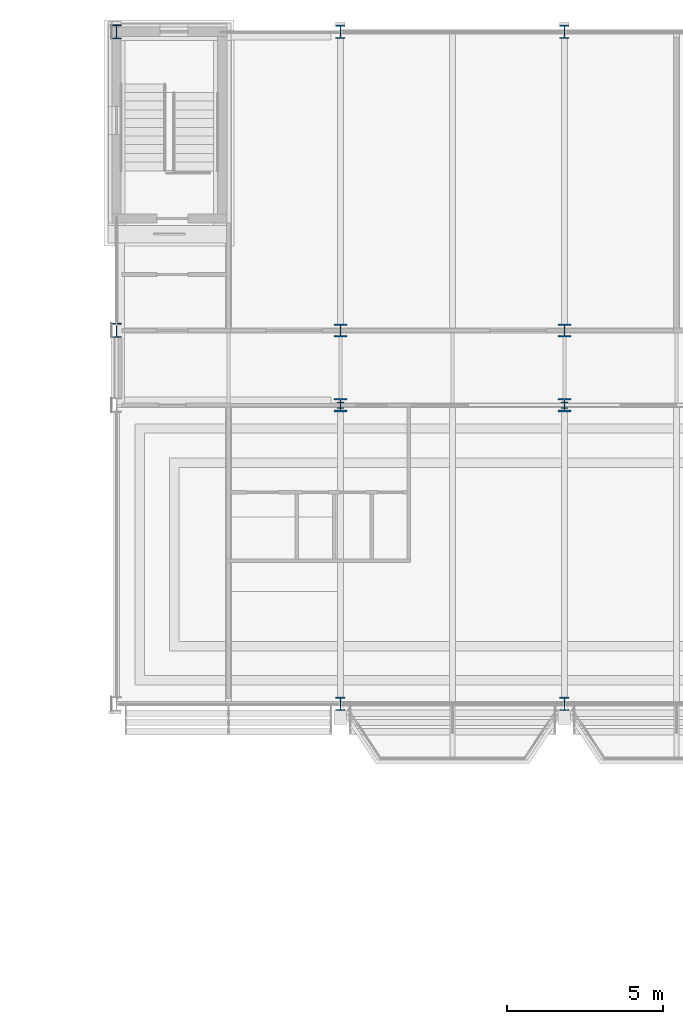
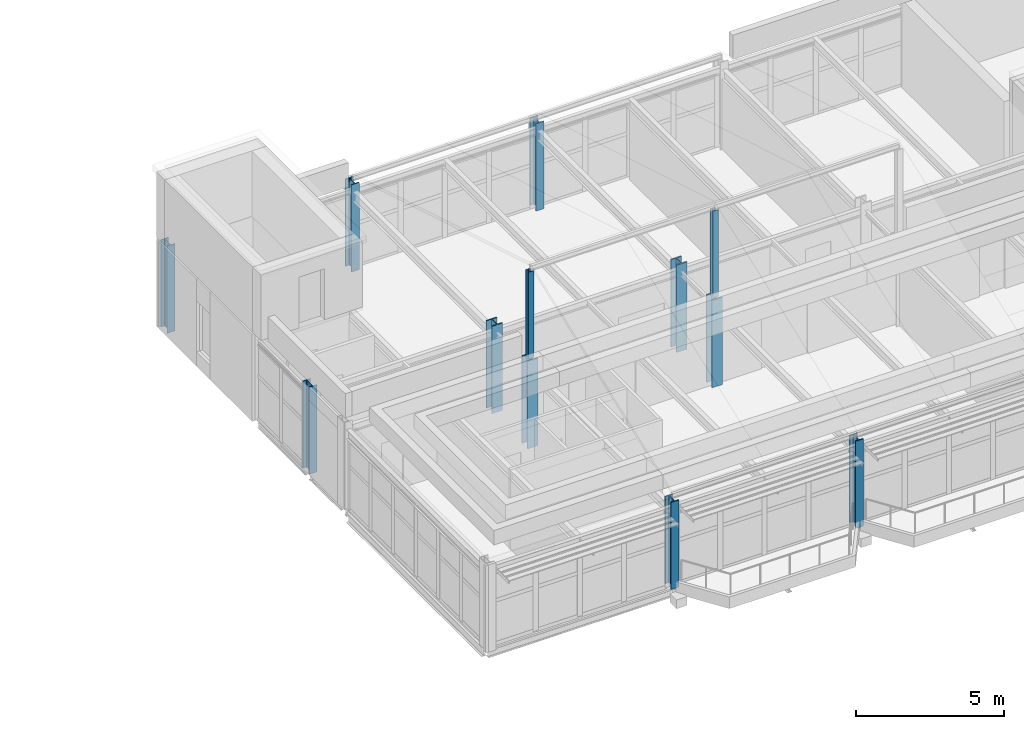
# One storey, part 6 of 68: 12 columns.
"""IFC4 building model written with IfcOpenShell, lengths in metres."""

from ifc_helpers import new_model, si_unit, direction, frame, origin, origin_2d, place, context, subcontext, project, spatial, i_section, extrude, material, material_profile, profile_set, type_object, element, save


model = new_model("IFC4")

# Units and contexts
model_context = context("Model", 3, precision=1e-05, world=origin(), true_north=direction((0.0, 1.0)))
body_context = subcontext(model_context, "Body", "Model", "MODEL_VIEW")
ifc_project = project(units=[si_unit("LENGTHUNIT", "METRE"), si_unit("AREAUNIT", "SQUARE_METRE"), si_unit("VOLUMEUNIT", "CUBIC_METRE"), si_unit("PLANEANGLEUNIT", "RADIAN"), si_unit("MASSUNIT", "GRAM", prefix="KILO")], contexts=[model_context])

# Site, building, storey
site_placement = place(None, origin())
site = spatial("IfcSite", under=ifc_project, at=site_placement, CompositionType="ELEMENT")
building_placement = place(site_placement, origin())
building = spatial("IfcBuilding", under=site, at=building_placement, Name="Kupolbacken Congress Centre", CompositionType="ELEMENT")
storey_placement = place(building_placement, frame((0.0, 0.0, 25.199951171875)))
storey = spatial("IfcBuildingStorey", under=building, at=storey_placement, Name="L07", CompositionType="ELEMENT", Elevation=25.199951171875)

# Columns
ifc_material_1 = material(Name="Steel S355", Category="steel")
ifc_material_profile_1 = material_profile(ifc_material_1, i_section(OverallWidth=0.408935546875, OverallDepth=0.425048828125, WebThickness=0.03271484375, FlangeThickness=0.052490234375, FilletRadius=0.014892578125, at=origin_2d()), Name="HD 400 x 421")
ifc_profile_set_1 = profile_set([ifc_material_profile_1], Name="Steel S355")
column_type_1 = type_object("IfcColumnType", Name="C01 column HD 400 x 421", PredefinedType="COLUMN", material=ifc_profile_set_1)
for number, where, z_axis, x_axis, name in (
    (1, (72.0, 132.0, 0.0), (0.0, 0.0, 1.0), (1.0, 0.0, 0.0), "S/col/C-T-11U+2400/L07"),
    (2, (72.0, 134.39990234375, 0.0), (0.0, 0.0, 1.0), (1.0, 0.0, 0.0), "S/col/C-T-11U+4800/L07"),
    (3, (79.199951171875, 132.0, 0.0), (0.0, 0.0, 1.0), (1.0, 0.0, 0.0), "S/col/C-T-12U+2400/L07"),
    (4, (79.199951171875, 134.39990234375, 0.0), (0.0, 0.0, 1.0), (1.0, 0.0, 0.0), "S/col/C-T-12U+4800/L07"),
):
    element("IfcColumn", number, at=place(storey_placement, frame(where, z_axis=z_axis, x_axis=x_axis)), inside=storey, type_object=column_type_1, Name=name, PredefinedType="COLUMN", context=body_context, shape_type="SweptSolid", body=[
        extrude(i_section(OverallWidth=0.408935546875, OverallDepth=0.425048828125, WebThickness=0.03271484375, FlangeThickness=0.052490234375, FilletRadius=0.014892578125, at=origin_2d()), origin(), (0.0, 0.0, 1.0), 3.60009765625),
    ])
ifc_material_2 = material(Name="Steel S355", Category="steel")
ifc_material_profile_2 = material_profile(ifc_material_2, i_section(OverallWidth=0.306884765625, OverallDepth=0.431884765625, WebThickness=0.02099609375, FlangeThickness=0.0400390625, FilletRadius=0.027099609375, at=origin_2d()), Name="HEM 400")
ifc_profile_set_2 = profile_set([ifc_material_profile_2], Name="Steel S355")
column_type_2 = type_object("IfcColumnType", Name="C02 column HEM 400", PredefinedType="COLUMN", material=ifc_profile_set_2)
for number, where, z_axis, x_axis, name in (
    (5, (72.0, 122.39990234375, 0.0), (0.0, 0.0, 1.0), (1.0, 0.0, 0.0), "S/col/C-T-11T/L07"),
    (6, (72.0, 144.0, 0.0), (0.0, 0.0, 1.0), (1.0, 0.0, 0.0), "S/col/C-T-11W/L07"),
    (7, (79.199951171875, 122.39990234375, 0.0), (0.0, 0.0, 1.0), (1.0, 0.0, 0.0), "S/col/C-T-12T/L07"),
    (8, (79.199951171875, 144.0, 0.0), (0.0, 0.0, 1.0), (1.0, 0.0, 0.0), "S/col/C-T-12W/L07"),
):
    element("IfcColumn", number, at=place(storey_placement, frame(where, z_axis=z_axis, x_axis=x_axis)), inside=storey, type_object=column_type_2, Name=name, PredefinedType="COLUMN", context=body_context, shape_type="SweptSolid", body=[
        extrude(i_section(OverallWidth=0.306884765625, OverallDepth=0.431884765625, WebThickness=0.02099609375, FlangeThickness=0.0400390625, FilletRadius=0.027099609375, at=origin_2d()), origin(), (0.0, 0.0, 1.0), 3.60009765625),
    ])
ifc_material_3 = material(Name="Steel S355", Category="steel")
ifc_material_profile_3 = material_profile(ifc_material_3, i_section(OverallWidth=0.300048828125, OverallDepth=0.449951171875, WebThickness=0.013916015625, FlangeThickness=0.02587890625, FilletRadius=0.027099609375, at=origin_2d()), Name="HEB 450")
ifc_profile_set_3 = profile_set([ifc_material_profile_3], Name="Steel S355")
column_type_3 = type_object("IfcColumnType", Name="C03 column HEB 450", PredefinedType="COLUMN", material=ifc_profile_set_3)
for number, where, z_axis, x_axis, name in (
    (9, (64.800048828125, 134.39990234375, 0.0), (0.0, 0.0, 1.0), (1.0, 0.0, 0.0), "S/col/C-T-10U+4800/L07"),
    (10, (64.800048828125, 144.0, 0.0), (0.0, 0.0, 1.0), (1.0, 0.0, 0.0), "S/col/C-T-10W/L07"),
):
    element("IfcColumn", number, at=place(storey_placement, frame(where, z_axis=z_axis, x_axis=x_axis)), inside=storey, type_object=column_type_3, Name=name, PredefinedType="COLUMN", context=body_context, shape_type="SweptSolid", body=[
        extrude(i_section(OverallWidth=0.300048828125, OverallDepth=0.449951171875, WebThickness=0.013916015625, FlangeThickness=0.02587890625, FilletRadius=0.027099609375, at=origin_2d()), origin(), (0.0, 0.0, 1.0), 3.60009765625),
    ])
ifc_material_4 = material(Name="Steel S355", Category="steel")
ifc_material_profile_4 = material_profile(ifc_material_4, i_section(OverallWidth=0.199951171875, OverallDepth=0.199951171875, WebThickness=0.009033203125, FlangeThickness=0.014892578125, FilletRadius=0.01806640625, at=origin_2d()), Name="HEB 200")
ifc_profile_set_4 = profile_set([ifc_material_profile_4], Name="Steel S355")
column_type_4 = type_object("IfcColumnType", Name="C11 column HEB 200", PredefinedType="COLUMN", material=ifc_profile_set_4)
for number, where, z_axis, x_axis, name in (
    (11, (72.0, 132.0, 3.60009765625), (0.0, 0.0, 1.0), (1.0, 0.0, 0.0), "E/T/roof/R1/post0/L07"),
    (12, (79.199951171875, 132.0, 3.60009765625), (0.0, 0.0, 1.0), (1.0, 0.0, 0.0), "E/T/roof/R1/post1/L07"),
):
    element("IfcColumn", number, at=place(storey_placement, frame(where, z_axis=z_axis, x_axis=x_axis)), inside=storey, type_object=column_type_4, Name=name, PredefinedType="COLUMN", context=body_context, shape_type="SweptSolid", body=[
        extrude(i_section(OverallWidth=0.199951171875, OverallDepth=0.199951171875, WebThickness=0.009033203125, FlangeThickness=0.014892578125, FilletRadius=0.01806640625, at=origin_2d()), origin(), (0.0, 0.0, 1.0), 3.5830078125),
    ])

save(model, "model.ifc")
